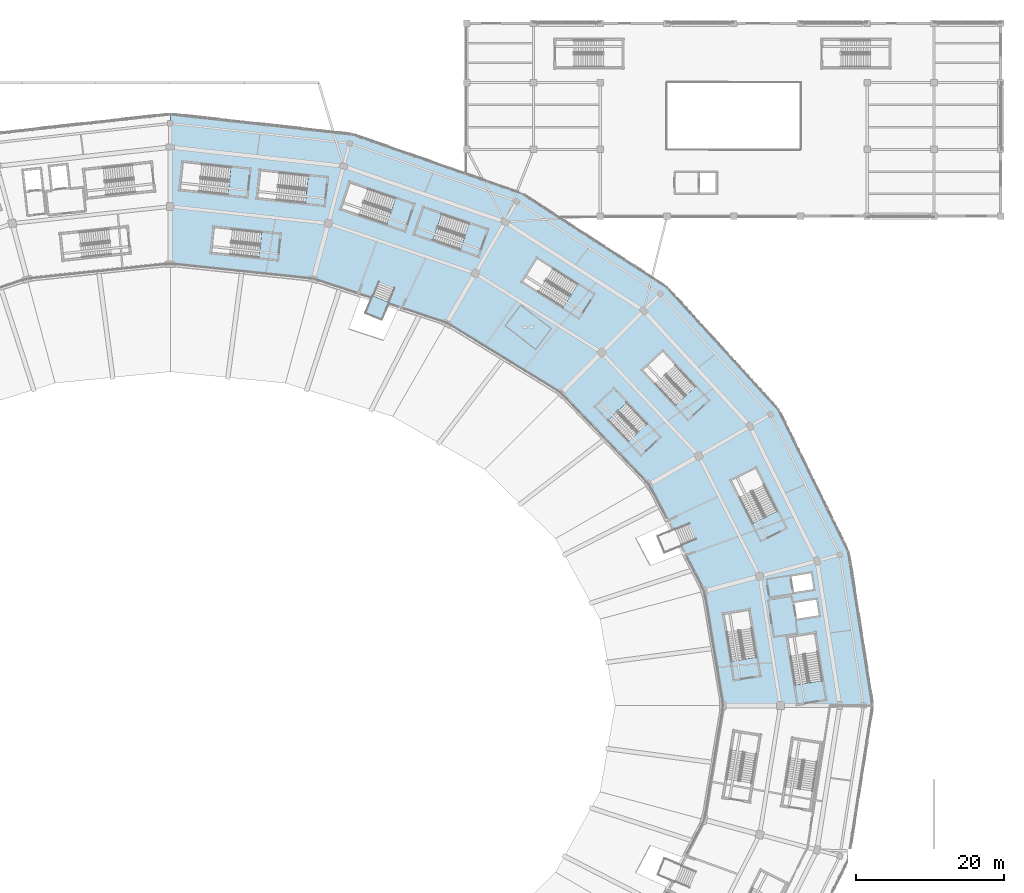
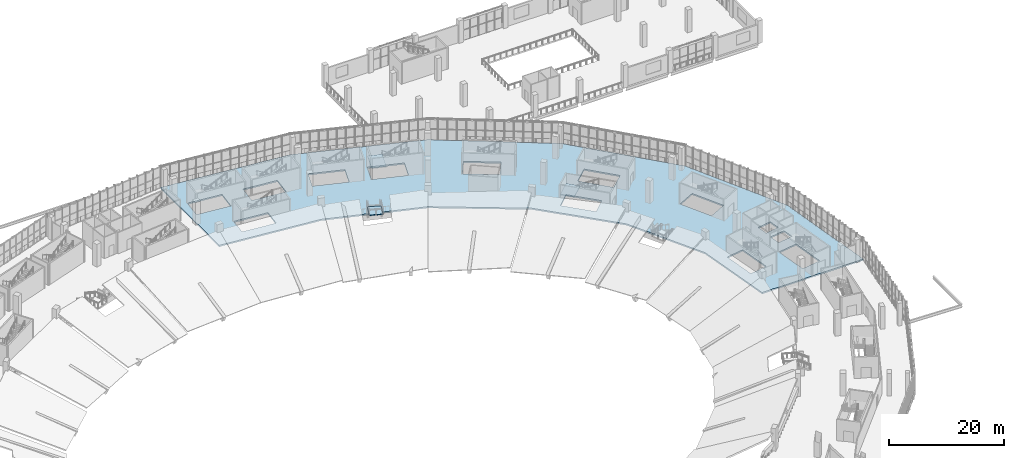
# One storey, part 93 of 183: 4 slabs, 3 elements without a shape of their own.
"""IFC4 building model written with IfcOpenShell, lengths in metres."""

from ifc_helpers import new_model, si_unit, direction, frame, origin, place, context, subcontext, project, spatial, polyline, outline, extrude, material, layer, layer_set, type_object, element, aggregate, save


model = new_model("IFC4")

# Units and contexts
model_context = context("Model", 3, precision=1e-05, world=origin(), true_north=direction((0.0, 1.0)))
body_context = subcontext(model_context, "Body", "Model", "MODEL_VIEW")
ifc_project = project(units=[si_unit("LENGTHUNIT", "METRE"), si_unit("AREAUNIT", "SQUARE_METRE"), si_unit("VOLUMEUNIT", "CUBIC_METRE"), si_unit("PLANEANGLEUNIT", "RADIAN"), si_unit("MASSUNIT", "GRAM", prefix="KILO")], contexts=[model_context])

# Site, building, storey
site_placement = place(None, origin())
site = spatial("IfcSite", under=ifc_project, at=site_placement, CompositionType="ELEMENT")
building_placement = place(site_placement, origin())
building = spatial("IfcBuilding", under=site, at=building_placement, Name="Zevraka Park Crest Stadium", CompositionType="ELEMENT")
storey_placement = place(building_placement, frame((0.0, 0.0, 5.39990234375)))
storey = spatial("IfcBuildingStorey", under=building, at=storey_placement, Name="L01", CompositionType="ELEMENT", Elevation=5.39990234375)

# Slab
ifc_material_1 = material(Name="Concrete C35/45", Category="concrete")
ifc_layer_1 = layer(ifc_material_1, 0.300048828125)
ifc_layer_set_1 = layer_set([ifc_layer_1], Name="Concrete C35/45")
slab_type_1 = type_object("IfcSlabType", Name="FS01", PredefinedType="FLOOR", material=ifc_layer_set_1)
slab_1_placement = place(storey_placement, frame((0.0, 0.0, -0.2998046875)))
element("IfcSlab", 1, at=slab_1_placement, inside=storey, type_object=slab_type_1, Name="Bowl Concourse Ring Slab L01 Q1-NE-1", PredefinedType="FLOOR", context=body_context, shape_type="SweptSolid", body=[
    extrude(outline(polyline([(183.9609375, 107.39990234375), (176.51904296875, 121.75), (164.678955078125, 134.072998046875), (149.25, 143.529052734375), (131.281982421875, 149.472900390625), (112.0, 151.5), (112.0, 171.800048828125), (136.535888671875, 169.0810546875), (159.39990234375, 161.10888671875), (179.033935546875, 148.427001953125), (194.09912109375, 131.89990234375), (203.570068359375, 112.654052734375), (206.800048828125, 92.0), (186.5, 92.0), (183.9609375, 107.39990234375)]), holes=[polyline([(169.33203125, 132.321044921875), (173.784912109375, 127.626953125), (176.294921875, 130.009033203125), (171.841064453125, 134.701904296875), (169.33203125, 132.321044921875)]), polyline([(161.4541015625, 152.3291015625), (159.43994140625, 149.154052734375), (164.945068359375, 145.660888671875), (166.9599609375, 148.8359375), (161.4541015625, 152.3291015625)]), polyline([(117.87890625, 156.513916015625), (117.512939453125, 153.073974609375), (123.947021484375, 152.388916015625), (124.31298828125, 155.830078125), (117.87890625, 156.513916015625)]), polyline([(144.93408203125, 155.571044921875), (151.10205078125, 153.4580078125), (152.320068359375, 157.01611328125), (146.152099609375, 159.1279296875), (144.93408203125, 155.571044921875)]), polyline([(136.218017578125, 162.529052734375), (135.0, 158.971923828125), (141.16796875, 156.85888671875), (142.385986328125, 160.4169921875), (136.218017578125, 162.529052734375)]), polyline([(124.131103515625, 164.169921875), (123.72412109375, 160.431884765625), (130.2060546875, 159.72705078125), (130.613037109375, 163.465087890625), (124.131103515625, 164.169921875)]), polyline([(113.285888671875, 161.568115234375), (119.76806640625, 160.863037109375), (120.175048828125, 164.60107421875), (113.693115234375, 165.305908203125), (113.285888671875, 161.568115234375)]), polyline([(198.945068359375, 101.782958984375), (195.23193359375, 101.19189453125), (196.257080078125, 94.7529296875), (199.969970703125, 95.344970703125), (198.945068359375, 101.782958984375)]), polyline([(190.052978515625, 104.89990234375), (186.637939453125, 104.343994140625), (187.677001953125, 97.9580078125), (191.092041015625, 98.513916015625), (190.052978515625, 104.89990234375)]), polyline([(199.14697265625, 106.31103515625), (196.18408203125, 105.840087890625), (196.529052734375, 103.6669921875), (199.491943359375, 104.137939453125), (199.14697265625, 106.31103515625)]), polyline([(198.43408203125, 109.843017578125), (195.76708984375, 109.419921875), (196.112060546875, 107.2470703125), (198.779052734375, 107.669921875), (198.43408203125, 109.843017578125)]), polyline([(190.97705078125, 124.052978515625), (187.615966796875, 122.368896484375), (190.535888671875, 116.5400390625), (193.89794921875, 118.22412109375), (190.97705078125, 124.052978515625)]), polyline([(178.4169921875, 139.80908203125), (175.660888671875, 137.251953125), (180.095947265625, 132.472900390625), (182.85205078125, 135.030029296875), (178.4169921875, 139.80908203125)])]), origin(), (0.0, 0.0, 1.0), 0.2998046875),
])

# Stair, slab
ifc_material_2 = material(Name="Concrete C35/45", Category="concrete")
stair_type_1 = type_object("IfcStairType", Name="STA2", PredefinedType="HALF_TURN_STAIR", material=ifc_material_2)
stair_1_placement = place(storey_placement, origin())
stair_1 = element("IfcStair", 2, at=stair_1_placement, inside=storey, type_object=stair_type_1, Name="L01 Protected Concourse Exit Stair ST05", PredefinedType="HALF_TURN_STAIR")
ifc_material_3 = material(Name="Concrete C35/45", Category="concrete")
ifc_layer_2 = layer(ifc_material_3, 0.199951171875)
ifc_layer_set_2 = layer_set([ifc_layer_2], Name="Concrete C35/45")
slab_type_2 = type_object("IfcSlabType", Name="LS01", PredefinedType="LANDING", material=ifc_layer_set_2)
slab_2_placement = place(storey_placement, frame((0.0, 0.0, 2.2001953125)))
slab_2 = element("IfcSlab", 3, at=slab_2_placement, type_object=slab_type_2, Name="ST05 landing 1", PredefinedType="LANDING", context=body_context, shape_type="SweptSolid", body=[
    extrude(outline(polyline([(148.621337890625, 158.282470703125), (146.152099609375, 159.1279296875), (144.93408203125, 155.57080078125), (147.403076171875, 154.72509765625), (148.621337890625, 158.282470703125)])), origin(), (0.0, 0.0, 1.0), 0.199951171875),
])
aggregate(stair_1, [slab_2])

ifc_material_4 = material(Name="Concrete C35/45", Category="concrete")
stair_type_2 = type_object("IfcStairType", Name="STB2", PredefinedType="HALF_TURN_STAIR", material=ifc_material_4)
stair_2_placement = place(storey_placement, origin())
stair_2 = element("IfcStair", 4, at=stair_2_placement, inside=storey, type_object=stair_type_2, Name="L01 Protected Concourse Relief Stair ST34", PredefinedType="HALF_TURN_STAIR")
slab_3_placement = place(storey_placement, frame((0.0, 0.0, 2.2001953125)))
slab_3 = element("IfcSlab", 5, at=slab_3_placement, type_object=slab_type_2, Name="ST34 landing 1", PredefinedType="LANDING", context=body_context, shape_type="SweptSolid", body=[
    extrude(outline(polyline([(173.603515625, 132.84521484375), (171.841552734375, 134.702392578125), (169.33154296875, 132.32080078125), (171.09375, 130.463623046875), (173.603515625, 132.84521484375)])), origin(), (0.0, 0.0, 1.0), 0.199951171875),
])
aggregate(stair_2, [slab_3])

ifc_material_5 = material(Name="Concrete C35/45", Category="concrete")
stair_type_3 = type_object("IfcStairType", Name="VST1", PredefinedType="STRAIGHT_RUN_STAIR", material=ifc_material_5)
stair_3_placement = place(storey_placement, origin())
stair_3 = element("IfcStair", 6, at=stair_3_placement, inside=storey, type_object=stair_type_3, Name="Vomitory Stair VS-02", PredefinedType="STRAIGHT_RUN_STAIR")
ifc_material_6 = material(Name="Concrete C35/45", Category="concrete")
ifc_layer_3 = layer(ifc_material_6, 0.179931640625)
ifc_layer_set_3 = layer_set([ifc_layer_3], Name="Concrete C35/45")
slab_type_3 = type_object("IfcSlabType", Name="LS02", PredefinedType="LANDING", material=ifc_layer_set_3)
slab_4_placement = place(storey_placement, frame((0.0, 0.0, 1.02001953125)))
slab_4 = element("IfcSlab", 7, at=slab_4_placement, type_object=slab_type_3, Name="VST1 landing 1", PredefinedType="LANDING", context=body_context, shape_type="SweptSolid", body=[
    extrude(outline(polyline([(139.281005859375, 147.260009765625), (138.31494140625, 144.927001953125), (140.531982421875, 144.009033203125), (141.4990234375, 146.342041015625), (139.281005859375, 147.260009765625)])), origin(), (0.0, 0.0, 1.0), 0.18017578125),
])
aggregate(stair_3, [slab_4])

save(model, "model.ifc")
